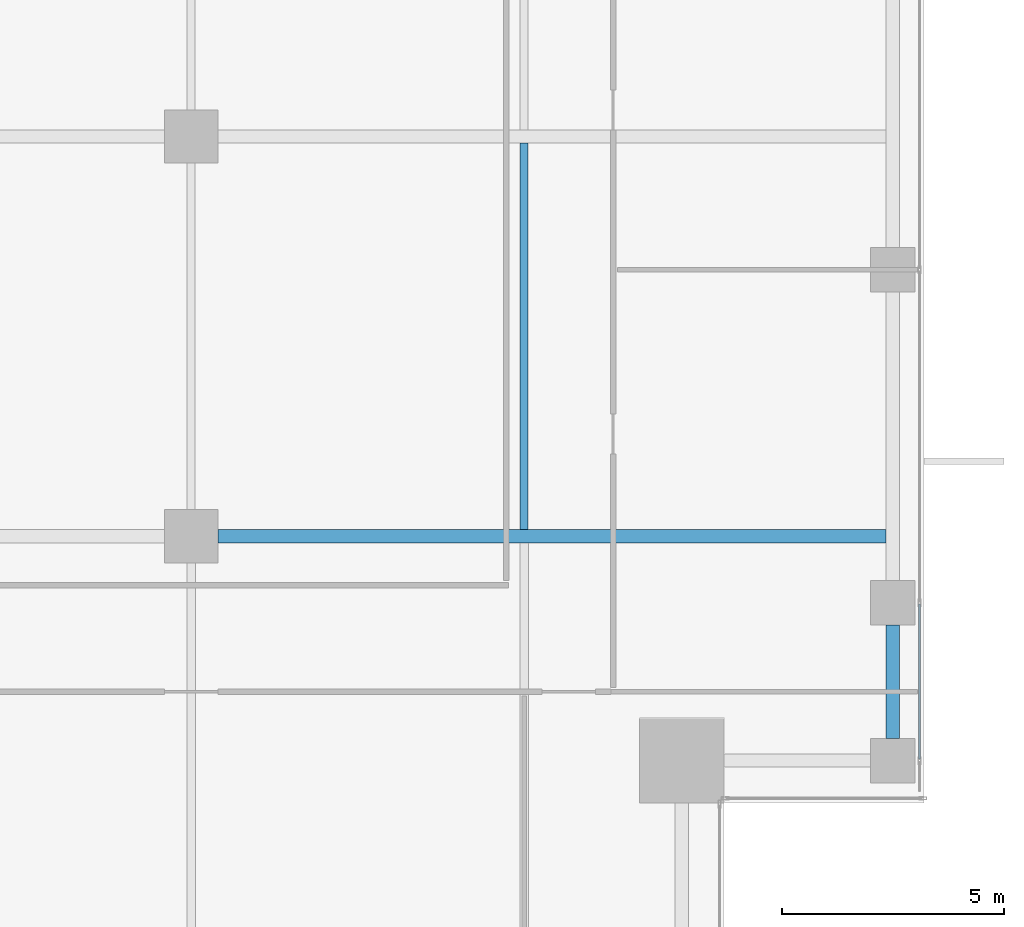
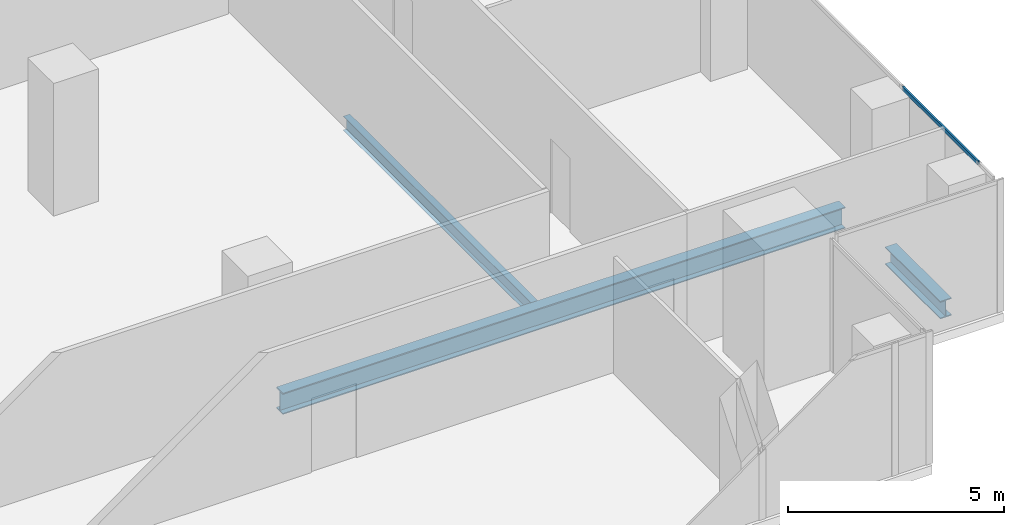
# One storey, part 11 of 40: 3 beams, 1 member, 1 element without a shape of its own.
"""IFC4 building model written with IfcOpenShell, lengths in metres."""

from ifc_helpers import new_model, si_unit, direction, frame, origin, origin_2d, place, context, subcontext, project, spatial, hollow_rectangle, i_section, extrude, source, transform, mapped, material, material_profile, profile_set, type_object, element, aggregate, save


model = new_model("IFC4")

# Units and contexts
model_context = context("Model", 3, precision=1e-05, world=origin(), true_north=direction((0.0, 1.0)))
body_context = subcontext(model_context, "Body", "Model", "MODEL_VIEW")
ifc_project = project(units=[si_unit("LENGTHUNIT", "METRE"), si_unit("AREAUNIT", "SQUARE_METRE"), si_unit("VOLUMEUNIT", "CUBIC_METRE"), si_unit("PLANEANGLEUNIT", "RADIAN"), si_unit("MASSUNIT", "GRAM", prefix="KILO")], contexts=[model_context])

# Site, building, storey
site_placement = place(None, origin())
site = spatial("IfcSite", under=ifc_project, at=site_placement, CompositionType="ELEMENT")
building_placement = place(site_placement, origin())
building = spatial("IfcBuilding", under=site, at=building_placement, Name="Khomas Fold Tower", CompositionType="ELEMENT")
storey_placement = place(building_placement, frame((0.0, 0.0, 192.699951171875)))
storey = spatial("IfcBuildingStorey", under=building, at=storey_placement, Name="L42", CompositionType="ELEMENT", Elevation=192.699951171875)

# Beams
ifc_material_1 = material(Name="Steel S355", Category="steel")
ifc_material_profile_1 = material_profile(ifc_material_1, i_section(OverallWidth=0.179931640625, OverallDepth=0.39990234375, WebThickness=0.008544921875, FlangeThickness=0.013427734375, at=origin_2d()), Name="IPE 400")
ifc_profile_set_1 = profile_set([ifc_material_profile_1], Name="Steel S355")
beam_type_1 = type_object("IfcBeamType", Name="IPE 400 beam JB3", PredefinedType="BEAM", material=ifc_profile_set_1)
shared_shape_1 = source(origin(), body_context, "Body", "SweptSolid", [
    extrude(i_section(OverallWidth=0.179931640625, OverallDepth=0.39990234375, WebThickness=0.008544921875, FlangeThickness=0.013427734375, at=origin_2d()), origin(), (0.0, 0.0, 1.0), 8.7001953125),
])
beam_1_placement = place(storey_placement, frame((42.0, 13.64990234375, -0.449951171875), z_axis=(0.0, 1.0, 0.0), x_axis=(-1.0, 0.0, 0.0)))
element("IfcBeam", 1, at=beam_1_placement, inside=storey, type_object=beam_type_1, Name="JB3", PredefinedType="BEAM", context=body_context, shape_type="MappedRepresentation", body=[
    mapped(shared_shape_1, transform((0.0, 0.0, 0.0))),
])
ifc_material_2 = material(Name="Steel S355", Category="steel")
ifc_material_profile_2 = material_profile(ifc_material_2, i_section(OverallWidth=0.300048828125, OverallDepth=0.5, WebThickness=0.014404296875, FlangeThickness=0.028076171875, at=origin_2d()), Name="HE 500 B")
ifc_profile_set_2 = profile_set([ifc_material_profile_2], Name="Steel S355")
beam_type_2 = type_object("IfcBeamType", Name="HE 500 B spandrel SB3", PredefinedType="SPANDREL", material=ifc_profile_set_2)
shared_shape_2 = source(origin(), body_context, "Body", "SweptSolid", [
    extrude(i_section(OverallWidth=0.300048828125, OverallDepth=0.5, WebThickness=0.014404296875, FlangeThickness=0.028076171875, at=origin_2d()), origin(), (0.0, 0.0, 1.0), 2.550048828125),
])
beam_2_placement = place(storey_placement, frame((50.300048828125, 8.949951171875, -0.5), z_axis=(0.0, 1.0, 0.0), x_axis=(-1.0, 0.0, 0.0)))
element("IfcBeam", 2, at=beam_2_placement, inside=storey, type_object=beam_type_2, Name="SB3", PredefinedType="SPANDREL", context=body_context, shape_type="MappedRepresentation", body=[
    mapped(shared_shape_2, transform((0.0, 0.0, 0.0))),
])
ifc_material_3 = material(Name="Steel S355", Category="steel")
ifc_material_profile_3 = material_profile(ifc_material_3, i_section(OverallWidth=0.300048828125, OverallDepth=0.60009765625, WebThickness=0.015380859375, FlangeThickness=0.030029296875, at=origin_2d()), Name="HE 600 B")
ifc_profile_set_3 = profile_set([ifc_material_profile_3], Name="Steel S355")
beam_type_3 = type_object("IfcBeamType", Name="HE 600 B beam GB5", PredefinedType="BEAM", material=ifc_profile_set_3)
shared_shape_3 = source(origin(), body_context, "Body", "SweptSolid", [
    extrude(i_section(OverallWidth=0.300048828125, OverallDepth=0.60009765625, WebThickness=0.015380859375, FlangeThickness=0.030029296875, at=origin_2d()), origin(), (0.0, 0.0, 1.0), 15.0498046875),
])
beam_3_placement = place(storey_placement, frame((35.10009765625, 13.5, -0.550048828125), z_axis=(1.0, 0.0, 0.0), x_axis=(0.0, 1.0, 0.0)))
element("IfcBeam", 3, at=beam_3_placement, inside=storey, type_object=beam_type_3, Name="GB5", PredefinedType="BEAM", context=body_context, shape_type="MappedRepresentation", body=[
    mapped(shared_shape_3, transform((0.0, 0.0, 0.0))),
])

# Curtain wall, member
ifc_material_4 = material(Name="Aluminium framed double glazing", Category="aluminium")
curtain_wall_type = type_object("IfcCurtainWallType", Name="SK-Unitised clear-glass wall, office floors CW2", PredefinedType="NOTDEFINED", material=ifc_material_4)
curtain_wall_placement = place(storey_placement, origin())
curtain_wall = element("IfcCurtainWall", 4, at=curtain_wall_placement, inside=storey, type_object=curtain_wall_type, Name="CW2 run L42 03-0", PredefinedType="NOTDEFINED")
ifc_material_5 = material(Name="Aluminium", Category="aluminium")
ifc_material_profile_4 = material_profile(ifc_material_5, hollow_rectangle(XDim=0.050048828125, YDim=0.110107421875, WallThickness=0.00390625, at=origin_2d()), Name="SK-Unitised clear-glass wall, office floors transom CW2-T")
ifc_profile_set_4 = profile_set([ifc_material_profile_4], Name="Aluminium")
member_type = type_object("IfcMemberType", Name="SK-Unitised clear-glass wall, office floors transom CW2-T", PredefinedType="USERDEFINED", material=ifc_profile_set_4)
shared_shape_4 = source(origin(), body_context, "Body", "SweptSolid", [
    extrude(hollow_rectangle(XDim=0.050048828125, YDim=0.110107421875, WallThickness=0.00390625, at=origin_2d()), origin(), (0.0, 0.0, 1.0), 3.489990234375),
])
member_placement = place(storey_placement, frame((50.89990234375, 8.47998046875, 3.695068359375), z_axis=(0.0, 1.0, 0.0), x_axis=(-1.0, 0.0, 0.0)))
member = element("IfcMember", 5, at=member_placement, type_object=member_type, Name="CW2 transom 2", ObjectType="TRANSOM", PredefinedType="USERDEFINED", context=body_context, shape_type="MappedRepresentation", body=[
    mapped(shared_shape_4, transform((0.0, 0.0, 0.0))),
])
aggregate(curtain_wall, [member])

save(model, "model.ifc")
